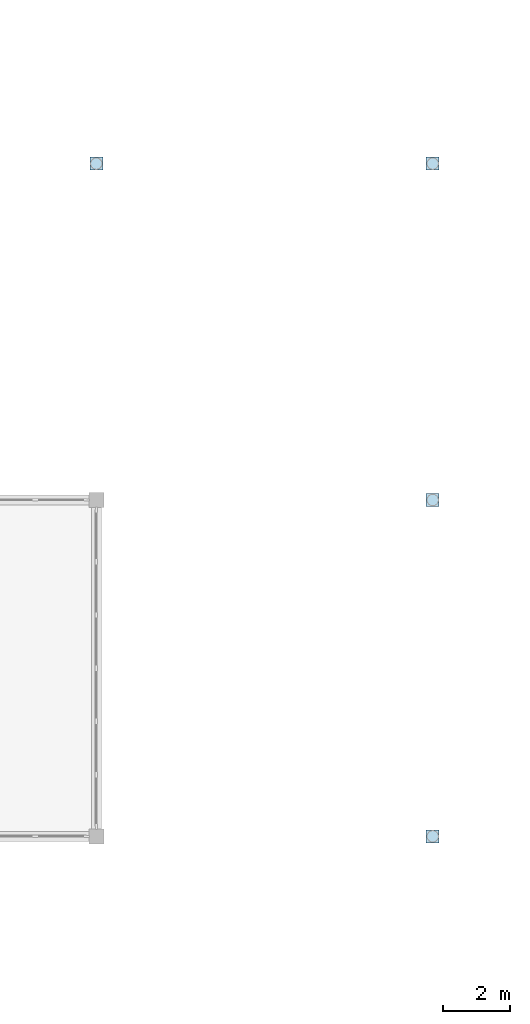
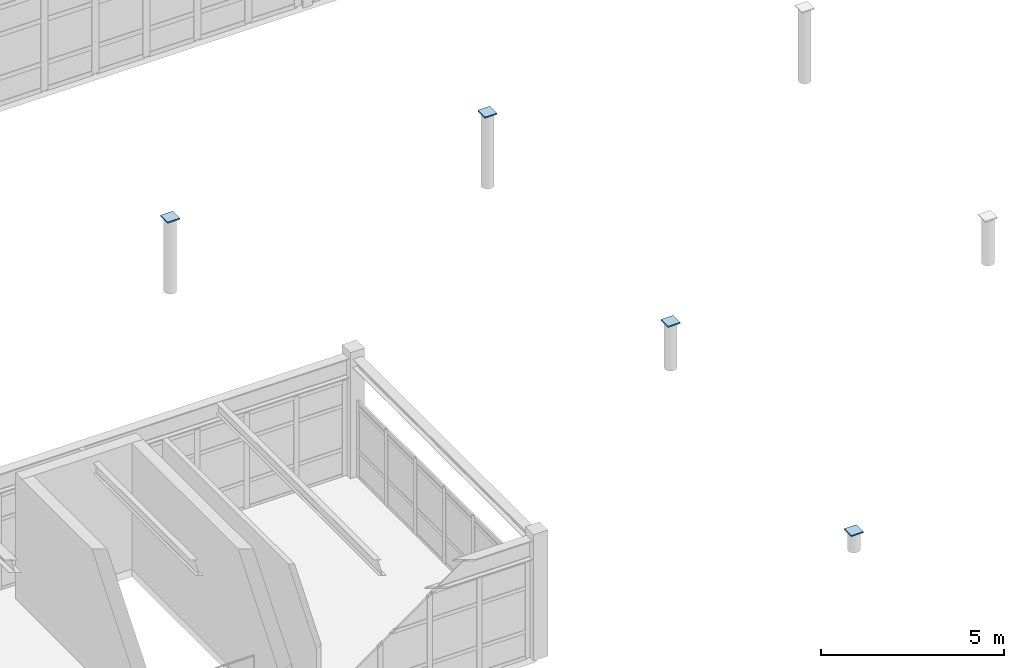
# One storey, part 98 of 122: 4 plates.
"""IFC4 building model written with IfcOpenShell, lengths in metres."""

from ifc_helpers import new_model, si_unit, direction, frame, origin, origin_2d, place, context, subcontext, project, spatial, rectangle, extrude, material, layer, layer_set, type_object, element, save


model = new_model("IFC4")

# Units and contexts
model_context = context("Model", 3, precision=1e-05, world=origin(), true_north=direction((0.0, 1.0)))
body_context = subcontext(model_context, "Body", "Model", "MODEL_VIEW")
ifc_project = project(units=[si_unit("LENGTHUNIT", "METRE"), si_unit("AREAUNIT", "SQUARE_METRE"), si_unit("VOLUMEUNIT", "CUBIC_METRE"), si_unit("PLANEANGLEUNIT", "RADIAN"), si_unit("MASSUNIT", "GRAM", prefix="KILO"), si_unit("THERMODYNAMICTEMPERATUREUNIT", "KELVIN"), si_unit("POWERUNIT", "WATT")], contexts=[model_context])

# Site, building, storey
site_placement = place(None, origin())
site = spatial("IfcSite", under=ifc_project, at=site_placement, CompositionType="ELEMENT")
building_placement = place(site_placement, origin())
building = spatial("IfcBuilding", under=site, at=building_placement, Name="Korenveer Ferry Terminal", CompositionType="ELEMENT")
storey_placement = place(building_placement, frame((0.0, 0.0, 10.199951171875)))
storey = spatial("IfcBuildingStorey", under=building, at=storey_placement, Name="L02", CompositionType="ELEMENT", Elevation=10.199951171875)

# Plates
ifc_material = material(Name="Steel S355", Category="steel")
ifc_layer = layer(ifc_material, 0.0419921875)
ifc_layer_set = layer_set([ifc_layer], Name="Steel S355")
plate_type = type_object("IfcPlateType", Name="STR-PLT-CAP42", PredefinedType="USERDEFINED", material=ifc_layer_set)
for number, where, z_axis, x_axis, name in (
    (1, (53.0, 40.0, 2.414306640625), (0.0, 0.0, 1.0), (1.0, 0.0, 0.0), "Hollow section end cap 206"),
    (2, (63.0, 20.0, 0.598388671875), (0.0, 0.0, 1.0), (1.0, 0.0, 0.0), "Hollow section end cap 211"),
    (3, (63.0, 30.0, 1.50634765625), (0.0, 0.0, 1.0), (1.0, 0.0, 0.0), "Hollow section end cap 212"),
    (4, (63.0, 40.0, 2.414306640625), (0.0, 0.0, 1.0), (1.0, 0.0, 0.0), "Hollow section end cap 213"),
):
    element("IfcPlate", number, at=place(storey_placement, frame(where, z_axis=z_axis, x_axis=x_axis)), inside=storey, type_object=plate_type, Name=name, ObjectType="END CAP PLATE", PredefinedType="USERDEFINED", context=body_context, shape_type="SweptSolid", body=[
        extrude(rectangle(XDim=0.385498046875, YDim=0.385498046875, at=origin_2d()), origin(), (0.0, 0.0, 1.0), 0.0419921875),
    ])

save(model, "model.ifc")
